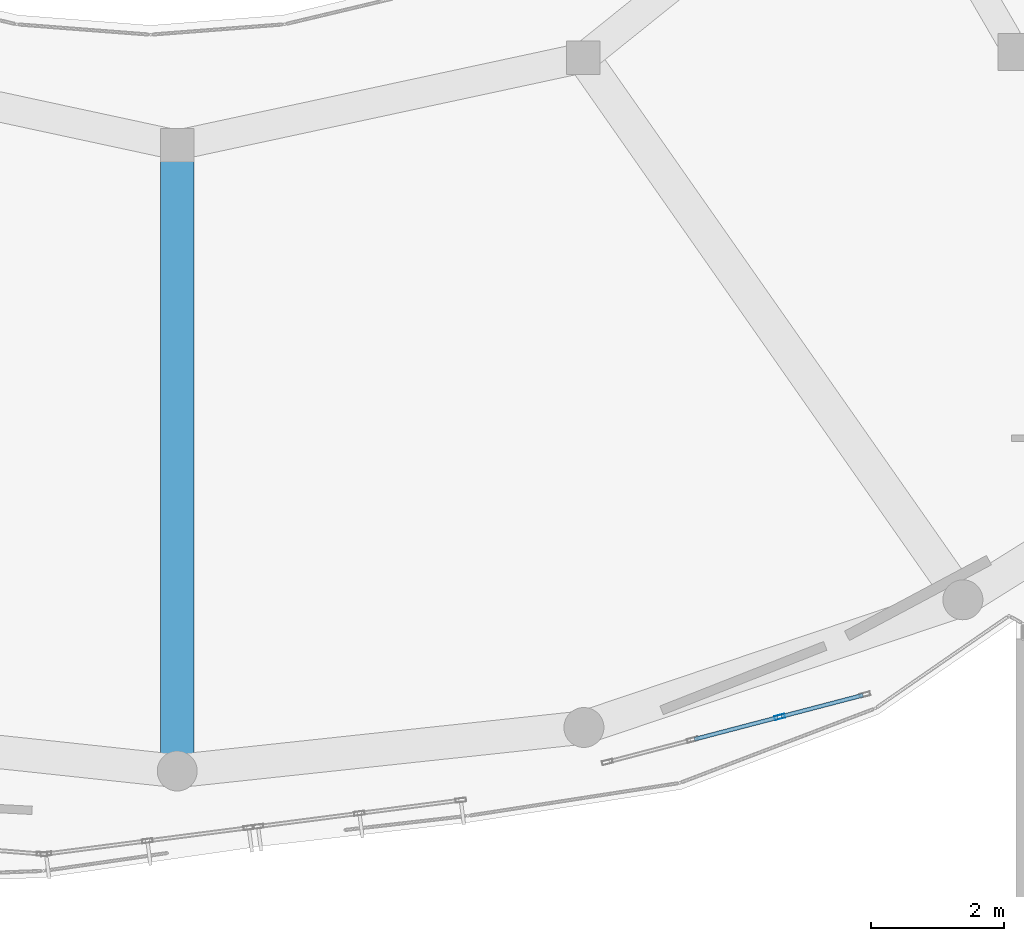
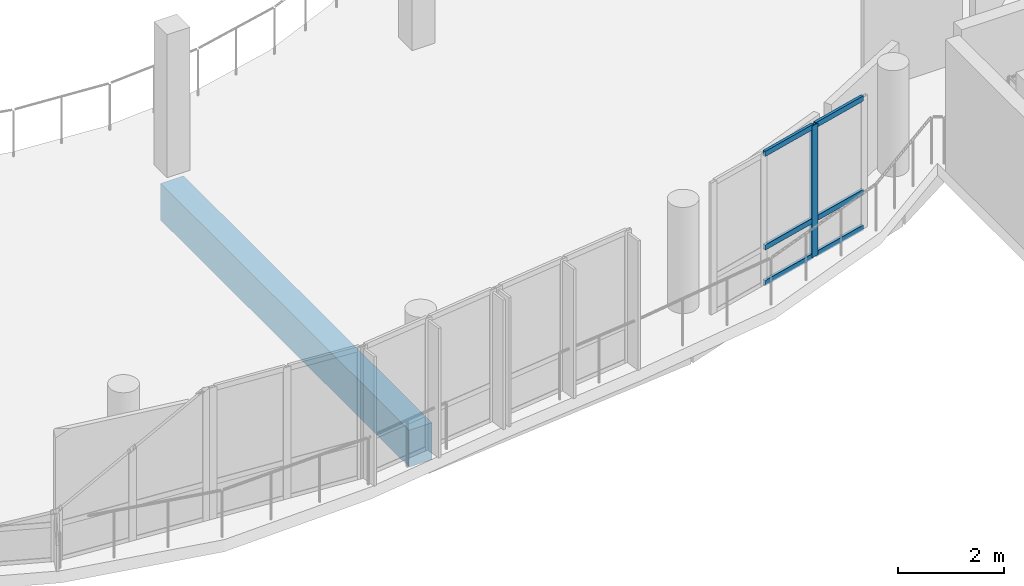
# One storey, part 7 of 43: 7 members, 1 beam, 1 element without a shape of its own.
"""IFC4 building model written with IfcOpenShell, lengths in metres."""

from ifc_helpers import new_model, si_unit, derived_unit, direction, frame, origin, origin_2d, place, context, subcontext, project, spatial, rectangle, hollow_rectangle, extrude, material, layer, layer_set, material_profile, profile_set, type_object, element, aggregate, save


model = new_model("IFC4")

# Units and contexts
model_context = context("Model", 3, precision=1e-05, world=origin(), true_north=direction((0.0, 1.0)))
body_context = subcontext(model_context, "Body", "Model", "MODEL_VIEW")
ifc_project = project(units=[si_unit("LENGTHUNIT", "METRE"), si_unit("AREAUNIT", "SQUARE_METRE"), si_unit("VOLUMEUNIT", "CUBIC_METRE"), si_unit("PLANEANGLEUNIT", "RADIAN"), si_unit("MASSUNIT", "GRAM", prefix="KILO"), derived_unit("THERMALTRANSMITTANCEUNIT", [(si_unit("POWERUNIT", "WATT"), 1), (si_unit("LENGTHUNIT", "METRE"), -2), (si_unit("THERMODYNAMICTEMPERATUREUNIT", "KELVIN"), -1)])], contexts=[model_context])

# Site, building, storey
site_placement = place(None, origin())
site = spatial("IfcSite", under=ifc_project, at=site_placement, CompositionType="ELEMENT")
building_placement = place(site_placement, origin())
building = spatial("IfcBuilding", under=site, at=building_placement, Name="Elbkamm Science Centre", CompositionType="ELEMENT")
storey_placement = place(building_placement, frame((0.0, 0.0, 18.300048828125)))
storey = spatial("IfcBuildingStorey", under=building, at=storey_placement, Name="L04", CompositionType="ELEMENT", Elevation=18.300048828125)

# Beam
ifc_material_1 = material(Name="Concrete C40/50", Category="concrete")
ifc_material_profile_1 = material_profile(ifc_material_1, rectangle(XDim=0.5, YDim=0.85009765625, at=origin_2d()), Name="RC 500x850")
ifc_profile_set_1 = profile_set([ifc_material_profile_1], Name="Concrete C40/50")
beam_type = type_object("IfcBeamType", Name="BM-RC-500x850", PredefinedType="BEAM", material=ifc_profile_set_1)
beam_placement = place(storey_placement, frame((63.0, 57.39990234375, -0.705078125), z_axis=(0.0, -1.0, 0.0), x_axis=(1.0, 0.0, 0.0)))
element("IfcBeam", 1, at=beam_placement, inside=storey, type_object=beam_type, Name="L04 Elliptical Radial Girder 10", PredefinedType="BEAM", context=body_context, shape_type="SweptSolid", body=[
    extrude(rectangle(XDim=0.5, YDim=0.85009765625, at=origin_2d()), origin(), (0.0, 0.0, 1.0), 9.39990234375),
])

# Curtain wall, members
ifc_material_2 = material(Name="Powder-coated aluminium and triple low-E glazing", Category="aluminium")
ifc_layer = layer(ifc_material_2, 0.159912109375)
ifc_layer_set = layer_set([ifc_layer], Name="Powder-coated aluminium and triple low-E glazing")
curtain_wall_type = type_object("IfcCurtainWallType", Name="CW-UNIT-4060x3040", PredefinedType="USERDEFINED", material=ifc_layer_set)
curtain_wall_placement = place(storey_placement, origin())
curtain_wall = element("IfcCurtainWall", 2, at=curtain_wall_placement, inside=storey, type_object=curtain_wall_type, Name="L04 Unitised Curtain Wall 100", ObjectType="UNITISED CURTAIN WALL", PredefinedType="USERDEFINED")
ifc_material_3 = material(Name="Powder-coated aluminium EN AW-6060", Category="aluminium")
ifc_material_profile_2 = material_profile(ifc_material_3, hollow_rectangle(XDim=0.06005859375, YDim=0.159912109375, WallThickness=0.00390625, at=origin_2d()), Name="ALU M60x160")
ifc_profile_set_2 = profile_set([ifc_material_profile_2], Name="Powder-coated aluminium EN AW-6060")
member_type_1 = type_object("IfcMemberType", Name="CW-MUL-60x160", PredefinedType="MULLION", material=ifc_profile_set_2)
member_1_placement = place(storey_placement, frame((72.048095703125, 48.81201171875, 0.0), z_axis=(0.0, 0.0, 1.0), x_axis=(-0.253208377553, 0.967411762145, 0.0)))
member_1 = element("IfcMember", 3, at=member_1_placement, type_object=member_type_1, Name="CW-049 mullion 3", PredefinedType="MULLION", context=body_context, shape_type="SweptSolid", body=[
    extrude(hollow_rectangle(XDim=0.06005859375, YDim=0.159912109375, WallThickness=0.00390625, at=origin_2d()), origin(), (0.0, 0.0, 1.0), 3.0400390625),
])
ifc_material_profile_3 = material_profile(ifc_material_3, hollow_rectangle(XDim=0.06005859375, YDim=0.1201171875, WallThickness=0.00341796875, at=origin_2d()), Name="ALU T60x120")
ifc_profile_set_3 = profile_set([ifc_material_profile_3], Name="Powder-coated aluminium EN AW-6060")
member_type_2 = type_object("IfcMemberType", Name="CW-TRN-60x120", PredefinedType="USERDEFINED", material=ifc_profile_set_3)
member_2_placement = place(storey_placement, frame((70.768798828125, 48.477294921875, 0.030029296875), z_axis=(0.967428422763, 0.253144715193, 0.0), x_axis=(-0.253144715193, 0.967428422763, 0.0)))
member_2 = element("IfcMember", 4, at=member_2_placement, type_object=member_type_2, Name="CW-049 transom 2.1", ObjectType="TRANSOM", PredefinedType="USERDEFINED", context=body_context, shape_type="SweptSolid", body=[
    extrude(hollow_rectangle(XDim=0.06005859375, YDim=0.1201171875, WallThickness=0.00341796875, at=origin_2d()), origin(), (0.0, 0.0, 1.0), 1.292236328125),
])
member_3_placement = place(storey_placement, frame((70.768798828125, 48.477294921875, 0.849853515625), z_axis=(0.967428422763, 0.253144715193, 0.0), x_axis=(-0.253144715193, 0.967428422763, 0.0)))
member_3 = element("IfcMember", 5, at=member_3_placement, type_object=member_type_2, Name="CW-049 transom 2.2", ObjectType="TRANSOM", PredefinedType="USERDEFINED", context=body_context, shape_type="SweptSolid", body=[
    extrude(hollow_rectangle(XDim=0.06005859375, YDim=0.1201171875, WallThickness=0.00341796875, at=origin_2d()), origin(), (0.0, 0.0, 1.0), 1.292236328125),
])
member_4_placement = place(storey_placement, frame((70.768798828125, 48.477294921875, 3.010009765625), z_axis=(0.967428422763, 0.253144715193, 0.0), x_axis=(-0.253144715193, 0.967428422763, 0.0)))
member_4 = element("IfcMember", 6, at=member_4_placement, type_object=member_type_2, Name="CW-049 transom 2.3", ObjectType="TRANSOM", PredefinedType="USERDEFINED", context=body_context, shape_type="SweptSolid", body=[
    extrude(hollow_rectangle(XDim=0.06005859375, YDim=0.1201171875, WallThickness=0.00341796875, at=origin_2d()), origin(), (0.0, 0.0, 1.0), 1.292236328125),
])
member_5_placement = place(storey_placement, frame((72.0771484375, 48.81982421875, 0.030029296875), z_axis=(0.967434257673, 0.25312241521, 0.0), x_axis=(-0.25312241521, 0.967434257673, 0.0)))
member_5 = element("IfcMember", 7, at=member_5_placement, type_object=member_type_2, Name="CW-049 transom 3.1", ObjectType="TRANSOM", PredefinedType="USERDEFINED", context=body_context, shape_type="SweptSolid", body=[
    extrude(hollow_rectangle(XDim=0.06005859375, YDim=0.1201171875, WallThickness=0.00341796875, at=origin_2d()), origin(), (0.0, 0.0, 1.0), 1.262451171875),
])
member_6_placement = place(storey_placement, frame((72.0771484375, 48.81982421875, 0.849853515625), z_axis=(0.967434257673, 0.25312241521, 0.0), x_axis=(-0.25312241521, 0.967434257673, 0.0)))
member_6 = element("IfcMember", 8, at=member_6_placement, type_object=member_type_2, Name="CW-049 transom 3.2", ObjectType="TRANSOM", PredefinedType="USERDEFINED", context=body_context, shape_type="SweptSolid", body=[
    extrude(hollow_rectangle(XDim=0.06005859375, YDim=0.1201171875, WallThickness=0.00341796875, at=origin_2d()), origin(), (0.0, 0.0, 1.0), 1.262451171875),
])
member_7_placement = place(storey_placement, frame((72.0771484375, 48.81982421875, 3.010009765625), z_axis=(0.967434257673, 0.25312241521, 0.0), x_axis=(-0.25312241521, 0.967434257673, 0.0)))
member_7 = element("IfcMember", 9, at=member_7_placement, type_object=member_type_2, Name="CW-049 transom 3.3", ObjectType="TRANSOM", PredefinedType="USERDEFINED", context=body_context, shape_type="SweptSolid", body=[
    extrude(hollow_rectangle(XDim=0.06005859375, YDim=0.1201171875, WallThickness=0.00341796875, at=origin_2d()), origin(), (0.0, 0.0, 1.0), 1.262451171875),
])
aggregate(curtain_wall, [member_1, member_2, member_3, member_4, member_5, member_6, member_7])

save(model, "model.ifc")
